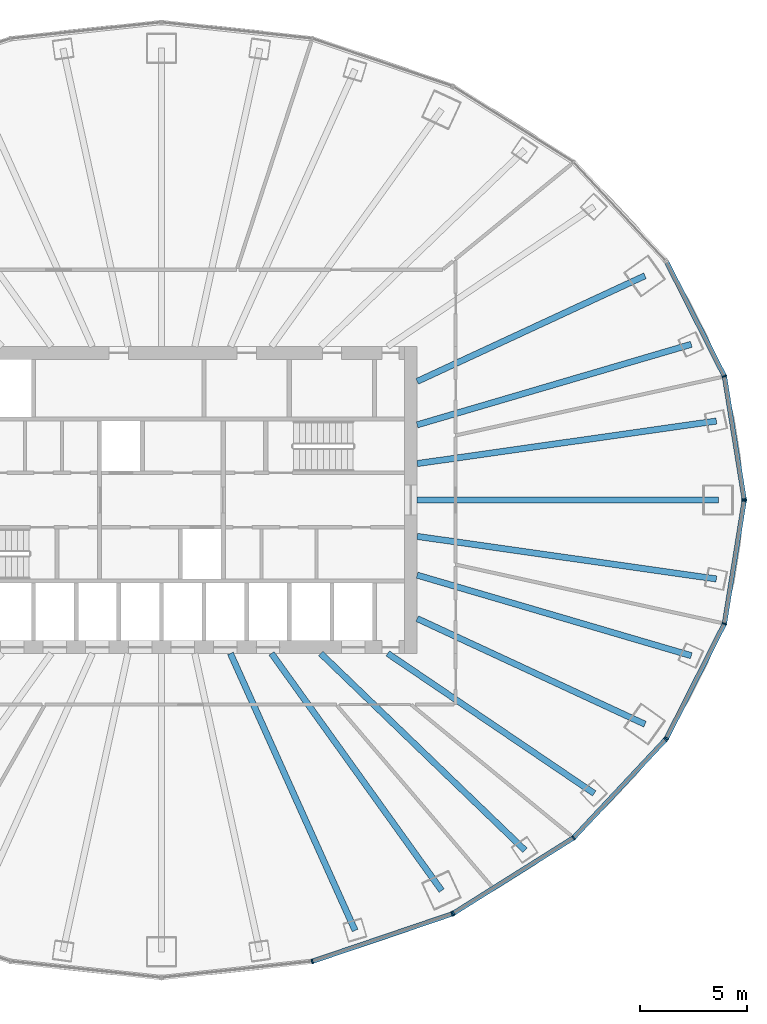
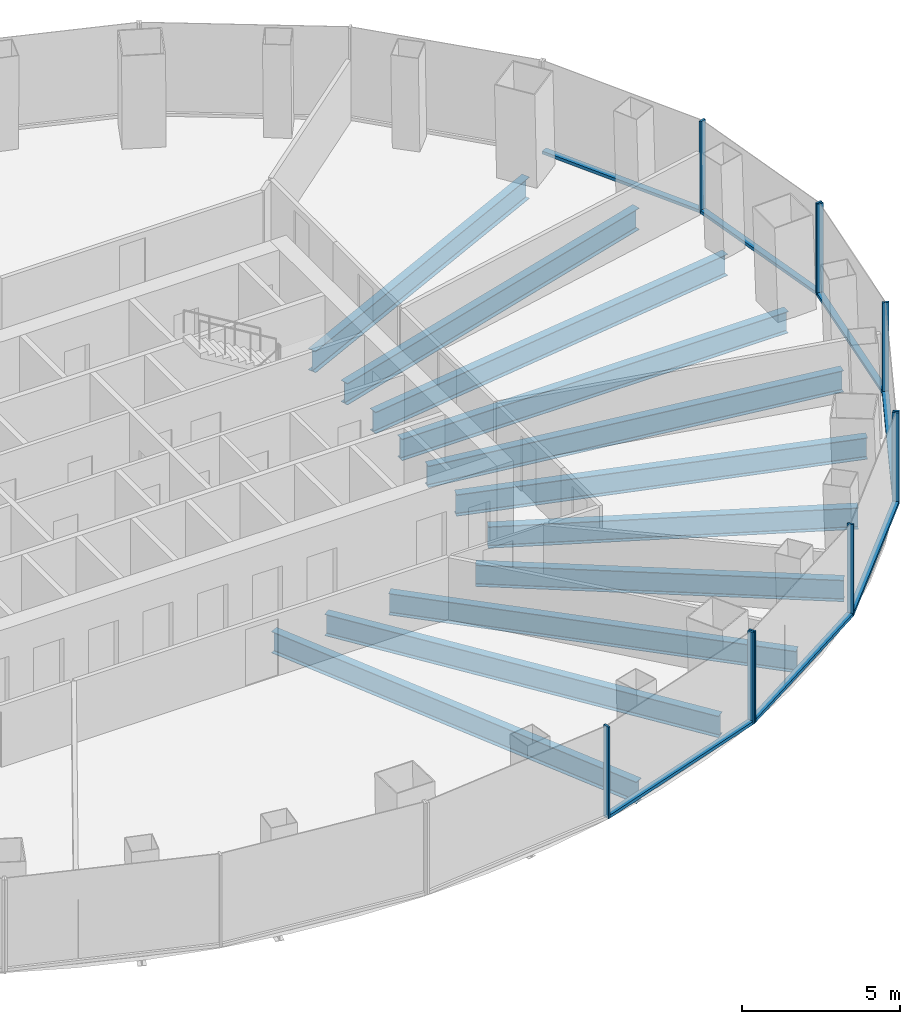
# One storey, part 4 of 11: 17 members, 11 beams, 4 elements without a shape of their own.
"""IFC4 building model written with IfcOpenShell, lengths in metres."""

from ifc_helpers import new_model, si_unit, direction, frame, origin, origin_2d, place, context, subcontext, project, spatial, rectangle, i_section, extrude, material, layer, layer_set, material_profile, profile_set, type_object, element, aggregate, save


model = new_model("IFC4")

# Units and contexts
model_context = context("Model", 3, precision=1e-05, world=origin(), true_north=direction((0.0, 1.0)))
body_context = subcontext(model_context, "Body", "Model", "MODEL_VIEW")
ifc_project = project(units=[si_unit("LENGTHUNIT", "METRE"), si_unit("AREAUNIT", "SQUARE_METRE"), si_unit("VOLUMEUNIT", "CUBIC_METRE"), si_unit("PLANEANGLEUNIT", "RADIAN"), si_unit("MASSUNIT", "GRAM", prefix="KILO")], contexts=[model_context])

# Site, building, storey
site_placement = place(None, origin())
site = spatial("IfcSite", under=ifc_project, at=site_placement, CompositionType="ELEMENT")
building_placement = place(site_placement, origin())
building = spatial("IfcBuilding", under=site, at=building_placement, Name="Siaravel Broadcast Tower", CompositionType="ELEMENT")
storey_placement = place(building_placement, frame((0.0, 0.0, 66.699951171875)))
storey = spatial("IfcBuildingStorey", under=building, at=storey_placement, Name="L15", CompositionType="ELEMENT", Elevation=66.699951171875)

# Beams
ifc_material_1 = material(Name="Steel S355", Category="steel")
ifc_material_profile_1 = material_profile(ifc_material_1, i_section(OverallWidth=0.291748046875, OverallDepth=0.8349609375, WebThickness=0.013916015625, FlangeThickness=0.018798828125, FilletRadius=0.017822265625, at=origin_2d()))
ifc_profile_set_1 = profile_set([ifc_material_profile_1], Name="Steel S355")
beam_type = type_object("IfcBeamType", Name="BM-UB 838x292x176", PredefinedType="BEAM", material=ifc_profile_set_1)
beam_1_placement = place(storey_placement, frame((26.1337890625, 0.0, -0.5673828125), z_axis=(-1.0, 0.0, 0.0), x_axis=(0.0, -1.0, 0.0)))
element("IfcBeam", 1, at=beam_1_placement, inside=storey, type_object=beam_type, Name="Radial beam RB01", PredefinedType="BEAM", context=body_context, shape_type="SweptSolid", body=[
    extrude(i_section(OverallWidth=0.291748046875, OverallDepth=0.8349609375, WebThickness=0.013916015625, FlangeThickness=0.018798828125, FilletRadius=0.017822265625, at=origin_2d()), origin(), (0.0, 0.0, 1.0), 14.1337890625),
])
beam_2_placement = place(storey_placement, frame((26.037841796875, 3.705322265625, -0.5673828125), z_axis=(-0.990024425, -0.140895839, 0.0), x_axis=(0.140895839, -0.990024425, 0.0)))
element("IfcBeam", 2, at=beam_2_placement, inside=storey, type_object=beam_type, Name="Radial beam RB02", PredefinedType="BEAM", context=body_context, shape_type="SweptSolid", body=[
    extrude(i_section(OverallWidth=0.291748046875, OverallDepth=0.8349609375, WebThickness=0.013916015625, FlangeThickness=0.018798828125, FilletRadius=0.017822265625, at=origin_2d()), origin(), (0.0, 0.0, 1.0), 14.17919921875),
])
beam_3_placement = place(storey_placement, frame((24.8603515625, 7.3046875, -0.5673828125), z_axis=(-0.959439137, -0.281915843, 0.0), x_axis=(0.281915843, -0.959439137, 0.0)))
element("IfcBeam", 3, at=beam_3_placement, inside=storey, type_object=beam_type, Name="Radial beam RB03", PredefinedType="BEAM", context=body_context, shape_type="SweptSolid", body=[
    extrude(i_section(OverallWidth=0.291748046875, OverallDepth=0.8349609375, WebThickness=0.013916015625, FlangeThickness=0.018798828125, FilletRadius=0.017822265625, at=origin_2d()), origin(), (0.0, 0.0, 1.0), 13.404052734375),
])
beam_4_placement = place(storey_placement, frame((22.68603515625, 10.52001953125, -0.5673828125), z_axis=(-0.907205087, -0.420688637, 0.0), x_axis=(0.420688637, -0.907205087, 0.0)))
element("IfcBeam", 4, at=beam_4_placement, inside=storey, type_object=beam_type, Name="Radial beam RB04", PredefinedType="BEAM", context=body_context, shape_type="SweptSolid", body=[
    extrude(i_section(OverallWidth=0.291748046875, OverallDepth=0.8349609375, WebThickness=0.013916015625, FlangeThickness=0.018798828125, FilletRadius=0.017822265625, at=origin_2d()), origin(), (0.0, 0.0, 1.0), 11.779052734375),
])
beam_5_placement = place(storey_placement, frame((9.0859375, -20.195556640625, -0.5673828125), z_axis=(-0.410286316, 0.911956764, 0.0), x_axis=(-0.911956764, -0.410286316, 0.0)))
element("IfcBeam", 5, at=beam_5_placement, inside=storey, type_object=beam_type, Name="Radial beam RB30", PredefinedType="BEAM", context=body_context, shape_type="SweptSolid", body=[
    extrude(i_section(OverallWidth=0.291748046875, OverallDepth=0.8349609375, WebThickness=0.013916015625, FlangeThickness=0.018798828125, FilletRadius=0.017822265625, at=origin_2d()), origin(), (0.0, 0.0, 1.0), 14.250244140625),
])
beam_6_placement = place(storey_placement, frame((13.146484375, -18.324462890625, -0.5673828125), z_axis=(-0.582923743, 0.812526867, 0.0), x_axis=(-0.812526867, -0.582923743, 0.0)))
element("IfcBeam", 6, at=beam_6_placement, inside=storey, type_object=beam_type, Name="Radial beam RB31", PredefinedType="BEAM", context=body_context, shape_type="SweptSolid", body=[
    extrude(i_section(OverallWidth=0.291748046875, OverallDepth=0.8349609375, WebThickness=0.013916015625, FlangeThickness=0.018798828125, FilletRadius=0.017822265625, at=origin_2d()), origin(), (0.0, 0.0, 1.0), 13.691162109375),
])
beam_7_placement = place(storey_placement, frame((17.052490234375, -16.42919921875, -0.5673828125), z_axis=(-0.720143916, 0.693824718, 0.0), x_axis=(-0.693824718, -0.720143916, 0.0)))
element("IfcBeam", 7, at=beam_7_placement, inside=storey, type_object=beam_type, Name="Radial beam RB32", PredefinedType="BEAM", context=body_context, shape_type="SweptSolid", body=[
    extrude(i_section(OverallWidth=0.291748046875, OverallDepth=0.8349609375, WebThickness=0.013916015625, FlangeThickness=0.018798828125, FilletRadius=0.017822265625, at=origin_2d()), origin(), (0.0, 0.0, 1.0), 13.302001953125),
])
beam_8_placement = place(storey_placement, frame((20.303466796875, -13.7666015625, -0.5673828125), z_axis=(-0.827675152, 0.561207486, 0.0), x_axis=(-0.561207486, -0.827675152, 0.0)))
element("IfcBeam", 8, at=beam_8_placement, inside=storey, type_object=beam_type, Name="Radial beam RB33", PredefinedType="BEAM", context=body_context, shape_type="SweptSolid", body=[
    extrude(i_section(OverallWidth=0.291748046875, OverallDepth=0.8349609375, WebThickness=0.013916015625, FlangeThickness=0.018798828125, FilletRadius=0.017822265625, at=origin_2d()), origin(), (0.0, 0.0, 1.0), 11.700927734375),
])
beam_9_placement = place(storey_placement, frame((22.68603515625, -10.52001953125, -0.5673828125), z_axis=(-0.907205087, 0.420688637, 0.0), x_axis=(-0.420688637, -0.907205087, 0.0)))
element("IfcBeam", 9, at=beam_9_placement, inside=storey, type_object=beam_type, Name="Radial beam RB34", PredefinedType="BEAM", context=body_context, shape_type="SweptSolid", body=[
    extrude(i_section(OverallWidth=0.291748046875, OverallDepth=0.8349609375, WebThickness=0.013916015625, FlangeThickness=0.018798828125, FilletRadius=0.017822265625, at=origin_2d()), origin(), (0.0, 0.0, 1.0), 11.779052734375),
])
beam_10_placement = place(storey_placement, frame((24.8603515625, -7.3046875, -0.5673828125), z_axis=(-0.959439137, 0.281915843, 0.0), x_axis=(-0.281915843, -0.959439137, 0.0)))
element("IfcBeam", 10, at=beam_10_placement, inside=storey, type_object=beam_type, Name="Radial beam RB35", PredefinedType="BEAM", context=body_context, shape_type="SweptSolid", body=[
    extrude(i_section(OverallWidth=0.291748046875, OverallDepth=0.8349609375, WebThickness=0.013916015625, FlangeThickness=0.018798828125, FilletRadius=0.017822265625, at=origin_2d()), origin(), (0.0, 0.0, 1.0), 13.404052734375),
])
beam_11_placement = place(storey_placement, frame((26.037841796875, -3.705322265625, -0.5673828125), z_axis=(-0.990024425, 0.140895839, 0.0), x_axis=(-0.140895839, -0.990024425, 0.0)))
element("IfcBeam", 11, at=beam_11_placement, inside=storey, type_object=beam_type, Name="Radial beam RB36", PredefinedType="BEAM", context=body_context, shape_type="SweptSolid", body=[
    extrude(i_section(OverallWidth=0.291748046875, OverallDepth=0.8349609375, WebThickness=0.013916015625, FlangeThickness=0.018798828125, FilletRadius=0.017822265625, at=origin_2d()), origin(), (0.0, 0.0, 1.0), 14.17919921875),
])

# Curtain wall, members
ifc_material_2 = material(Name="Aluminium 6063-T6", Category="aluminium")
ifc_layer = layer(ifc_material_2, 0.219970703125)
ifc_layer_set = layer_set([ifc_layer], Name="Aluminium 6063-T6")
curtain_wall_type = type_object("IfcCurtainWallType", Name="Unitised curtain wall, zone 1", PredefinedType="NOTDEFINED", material=ifc_layer_set)
curtain_wall_1_placement = place(storey_placement, origin())
curtain_wall_1 = element("IfcCurtainWall", 12, at=curtain_wall_1_placement, inside=storey, type_object=curtain_wall_type, Name="L15 Unitised curtain wall, zone 1 01", PredefinedType="NOTDEFINED")
ifc_material_profile_2 = material_profile(ifc_material_2, rectangle(XDim=0.219970703125, YDim=0.070068359375, at=origin_2d()))
ifc_profile_set_2 = profile_set([ifc_material_profile_2], Name="Aluminium 6063-T6")
member_type_1 = type_object("IfcMemberType", Name="CW-Z1 mullion", PredefinedType="MULLION", material=ifc_profile_set_2)
member_1_placement = place(storey_placement, frame((27.34228515625, 0.03466796875, 0.0), z_axis=(0.0, 0.0, 1.0), x_axis=(-0.987329063, -0.158686233, 0.0)))
member_1 = element("IfcMember", 13, at=member_1_placement, type_object=member_type_1, Name="CW-Z1 mullion 1", PredefinedType="MULLION", context=body_context, shape_type="SweptSolid", body=[
    extrude(rectangle(XDim=0.219970703125, YDim=0.070068359375, at=origin_2d()), origin(), (0.0, 0.0, 1.0), 3.550048828125),
])
member_2_placement = place(storey_placement, frame((26.415283203125, 5.802734375, 0.0), z_axis=(0.0, 0.0, 1.0), x_axis=(-0.95117683, -0.30864646, 0.0)))
member_2 = element("IfcMember", 14, at=member_2_placement, type_object=member_type_1, Name="CW-Z1 mullion 2", PredefinedType="MULLION", context=body_context, shape_type="SweptSolid", body=[
    extrude(rectangle(XDim=0.219970703125, YDim=0.070068359375, at=origin_2d()), origin(), (0.0, 0.0, 1.0), 3.550048828125),
])

curtain_wall_2_placement = place(storey_placement, origin())
curtain_wall_2 = element("IfcCurtainWall", 15, at=curtain_wall_2_placement, inside=storey, type_object=curtain_wall_type, Name="L15 Unitised curtain wall, zone 1 10", PredefinedType="NOTDEFINED")
member_3_placement = place(storey_placement, frame((7.075927734375, -21.646728515625, 0.0), z_axis=(0.0, 0.0, 1.0), x_axis=(-0.215557455, 0.976491159, 0.0)))
member_3 = element("IfcMember", 16, at=member_3_placement, type_object=member_type_1, Name="CW-Z1 mullion 2", PredefinedType="MULLION", context=body_context, shape_type="SweptSolid", body=[
    extrude(rectangle(XDim=0.219970703125, YDim=0.070068359375, at=origin_2d()), origin(), (0.0, 0.0, 1.0), 3.550048828125),
])
member_4_placement = place(storey_placement, frame((13.63720703125, -19.420654296875, 0.0), z_axis=(0.0, 0.0, 1.0), x_axis=(-0.321299732, 0.946977551, 0.0)))
member_4 = element("IfcMember", 17, at=member_4_placement, type_object=member_type_1, Name="CW-Z1 mullion 3", PredefinedType="MULLION", context=body_context, shape_type="SweptSolid", body=[
    extrude(rectangle(XDim=0.219970703125, YDim=0.070068359375, at=origin_2d()), origin(), (0.0, 0.0, 1.0), 3.550048828125),
])

curtain_wall_3_placement = place(storey_placement, origin())
curtain_wall_3 = element("IfcCurtainWall", 18, at=curtain_wall_3_placement, inside=storey, type_object=curtain_wall_type, Name="L15 Unitised curtain wall, zone 1 11", PredefinedType="NOTDEFINED")
member_5_placement = place(storey_placement, frame((13.699951171875, -19.390869140625, 0.0), z_axis=(0.0, 0.0, 1.0), x_axis=(-0.532147932, 0.846651392, 0.0)))
member_5 = element("IfcMember", 19, at=member_5_placement, type_object=member_type_1, Name="CW-Z1 mullion 1", PredefinedType="MULLION", context=body_context, shape_type="SweptSolid", body=[
    extrude(rectangle(XDim=0.219970703125, YDim=0.070068359375, at=origin_2d()), origin(), (0.0, 0.0, 1.0), 3.550048828125),
])
member_6_placement = place(storey_placement, frame((19.333984375, -15.849609375, 0.0), z_axis=(0.0, 0.0, 1.0), x_axis=(-0.636217305, 0.77150991, 0.0)))
member_6 = element("IfcMember", 20, at=member_6_placement, type_object=member_type_1, Name="CW-Z1 mullion 2", PredefinedType="MULLION", context=body_context, shape_type="SweptSolid", body=[
    extrude(rectangle(XDim=0.219970703125, YDim=0.070068359375, at=origin_2d()), origin(), (0.0, 0.0, 1.0), 3.550048828125),
])
member_7_placement = place(storey_placement, frame((23.657470703125, -11.234375, 0.0), z_axis=(0.0, 0.0, 1.0), x_axis=(-0.729803931, 0.683656509, 0.0)))
member_7 = element("IfcMember", 21, at=member_7_placement, type_object=member_type_1, Name="CW-Z1 mullion 3", PredefinedType="MULLION", context=body_context, shape_type="SweptSolid", body=[
    extrude(rectangle(XDim=0.219970703125, YDim=0.070068359375, at=origin_2d()), origin(), (0.0, 0.0, 1.0), 3.550048828125),
])

curtain_wall_4_placement = place(storey_placement, origin())
curtain_wall_4 = element("IfcCurtainWall", 22, at=curtain_wall_4_placement, inside=storey, type_object=curtain_wall_type, Name="L15 Unitised curtain wall, zone 1 12", PredefinedType="NOTDEFINED")
member_8_placement = place(storey_placement, frame((23.697265625, -11.177490234375, 0.0), z_axis=(0.0, 0.0, 1.0), x_axis=(-0.892391293, 0.451262428, 0.0)))
member_8 = element("IfcMember", 23, at=member_8_placement, type_object=member_type_1, Name="CW-Z1 mullion 1", PredefinedType="MULLION", context=body_context, shape_type="SweptSolid", body=[
    extrude(rectangle(XDim=0.219970703125, YDim=0.070068359375, at=origin_2d()), origin(), (0.0, 0.0, 1.0), 3.550048828125),
])
member_9_placement = place(storey_placement, frame((26.415283203125, -5.802734375, 0.0), z_axis=(0.0, 0.0, 1.0), x_axis=(-0.95117683, 0.30864646, 0.0)))
member_9 = element("IfcMember", 24, at=member_9_placement, type_object=member_type_1, Name="CW-Z1 mullion 2", PredefinedType="MULLION", context=body_context, shape_type="SweptSolid", body=[
    extrude(rectangle(XDim=0.219970703125, YDim=0.070068359375, at=origin_2d()), origin(), (0.0, 0.0, 1.0), 3.550048828125),
])
member_10_placement = place(storey_placement, frame((27.34228515625, -0.03466796875, 0.0), z_axis=(0.0, 0.0, 1.0), x_axis=(-0.987329063, 0.158686233, 0.0)))
member_10 = element("IfcMember", 25, at=member_10_placement, type_object=member_type_1, Name="CW-Z1 mullion 3", PredefinedType="MULLION", context=body_context, shape_type="SweptSolid", body=[
    extrude(rectangle(XDim=0.219970703125, YDim=0.070068359375, at=origin_2d()), origin(), (0.0, 0.0, 1.0), 3.550048828125),
])

# Member
ifc_material_profile_3 = material_profile(ifc_material_2, rectangle(XDim=0.219970703125, YDim=0.1201171875, at=origin_2d()))
ifc_profile_set_3 = profile_set([ifc_material_profile_3], Name="Aluminium 6063-T6")
member_type_2 = type_object("IfcMemberType", Name="CW-Z1 transom", PredefinedType="USERDEFINED", material=ifc_profile_set_3)
member_11_placement = place(storey_placement, frame((27.336669921875, 0.069091796875, 0.06005859375), z_axis=(-0.158689875, 0.987328478, 0.0), x_axis=(-0.987328478, -0.158689875, 0.0)))
member_11 = element("IfcMember", 26, at=member_11_placement, type_object=member_type_2, Name="CW-Z1 transom 1", ObjectType="TRANSOM", PredefinedType="USERDEFINED", context=body_context, shape_type="SweptSolid", body=[
    extrude(rectangle(XDim=0.219970703125, YDim=0.1201171875, at=origin_2d()), origin(), (0.0, 0.0, 1.0), 5.7724609375),
])

member_12_placement = place(storey_placement, frame((26.3994140625, 5.833984375, 0.06005859375), z_axis=(-0.451293706, 0.892375477, 0.0), x_axis=(-0.892375477, -0.451293706, 0.0)))
member_12 = element("IfcMember", 27, at=member_12_placement, type_object=member_type_2, Name="CW-Z1 transom 2", ObjectType="TRANSOM", PredefinedType="USERDEFINED", context=body_context, shape_type="SweptSolid", body=[
    extrude(rectangle(XDim=0.219970703125, YDim=0.1201171875, at=origin_2d()), origin(), (0.0, 0.0, 1.0), 5.952880859375),
])

aggregate(curtain_wall_1, [member_1, member_2, member_11, member_12])

member_13_placement = place(storey_placement, frame((7.109130859375, -21.635498046875, 0.06005859375), z_axis=(0.946978894, 0.321295775, 0.0), x_axis=(-0.321295775, 0.946978894, 0.0)))
member_13 = element("IfcMember", 28, at=member_13_placement, type_object=member_type_2, Name="CW-Z1 transom 2", ObjectType="TRANSOM", PredefinedType="USERDEFINED", context=body_context, shape_type="SweptSolid", body=[
    extrude(rectangle(XDim=0.219970703125, YDim=0.1201171875, at=origin_2d()), origin(), (0.0, 0.0, 1.0), 6.8583984375),
])

aggregate(curtain_wall_2, [member_3, member_4, member_13])

member_14_placement = place(storey_placement, frame((13.7294921875, -19.372314453125, 0.06005859375), z_axis=(0.846643708, 0.532160155, 0.0), x_axis=(-0.532160155, 0.846643708, 0.0)))
member_14 = element("IfcMember", 29, at=member_14_placement, type_object=member_type_2, Name="CW-Z1 transom 1", ObjectType="TRANSOM", PredefinedType="USERDEFINED", context=body_context, shape_type="SweptSolid", body=[
    extrude(rectangle(XDim=0.219970703125, YDim=0.1201171875, at=origin_2d()), origin(), (0.0, 0.0, 1.0), 6.584716796875),
])

member_15_placement = place(storey_placement, frame((19.358154296875, -15.823974609375, 0.06005859375), z_axis=(0.683638503, 0.729820798, 0.0), x_axis=(-0.729820798, 0.683638503, 0.0)))
member_15 = element("IfcMember", 30, at=member_15_placement, type_object=member_type_2, Name="CW-Z1 transom 2", ObjectType="TRANSOM", PredefinedType="USERDEFINED", context=body_context, shape_type="SweptSolid", body=[
    extrude(rectangle(XDim=0.219970703125, YDim=0.1201171875, at=origin_2d()), origin(), (0.0, 0.0, 1.0), 6.25390625),
])

aggregate(curtain_wall_3, [member_5, member_6, member_7, member_14, member_15])

member_16_placement = place(storey_placement, frame((23.712890625, -11.146240234375, 0.06005859375), z_axis=(0.451293706, 0.892375477, 0.0), x_axis=(-0.892375477, 0.451293706, 0.0)))
member_16 = element("IfcMember", 31, at=member_16_placement, type_object=member_type_2, Name="CW-Z1 transom 1", ObjectType="TRANSOM", PredefinedType="USERDEFINED", context=body_context, shape_type="SweptSolid", body=[
    extrude(rectangle(XDim=0.219970703125, YDim=0.1201171875, at=origin_2d()), origin(), (0.0, 0.0, 1.0), 5.952880859375),
])

member_17_placement = place(storey_placement, frame((26.420654296875, -5.768310546875, 0.06005859375), z_axis=(0.158689875, 0.987328478, 0.0), x_axis=(-0.987328478, 0.158689875, 0.0)))
member_17 = element("IfcMember", 32, at=member_17_placement, type_object=member_type_2, Name="CW-Z1 transom 2", ObjectType="TRANSOM", PredefinedType="USERDEFINED", context=body_context, shape_type="SweptSolid", body=[
    extrude(rectangle(XDim=0.219970703125, YDim=0.1201171875, at=origin_2d()), origin(), (0.0, 0.0, 1.0), 5.7724609375),
])

aggregate(curtain_wall_4, [member_8, member_9, member_10, member_16, member_17])

save(model, "model.ifc")
